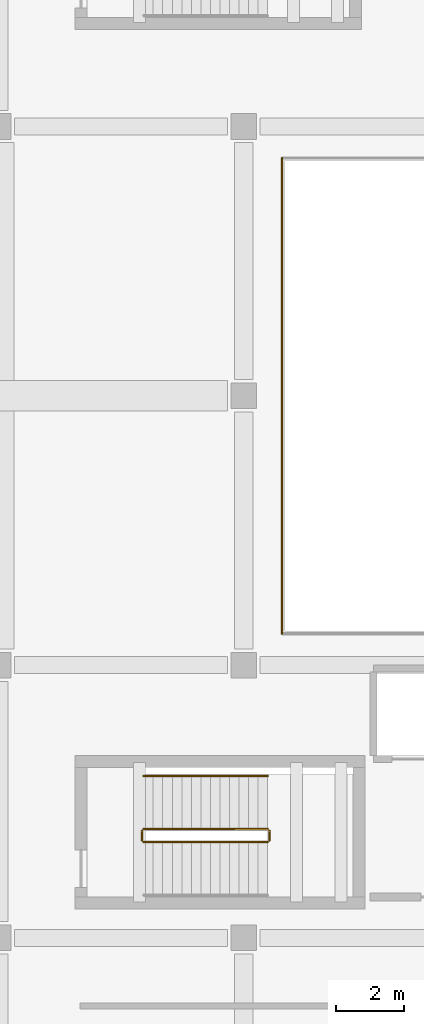
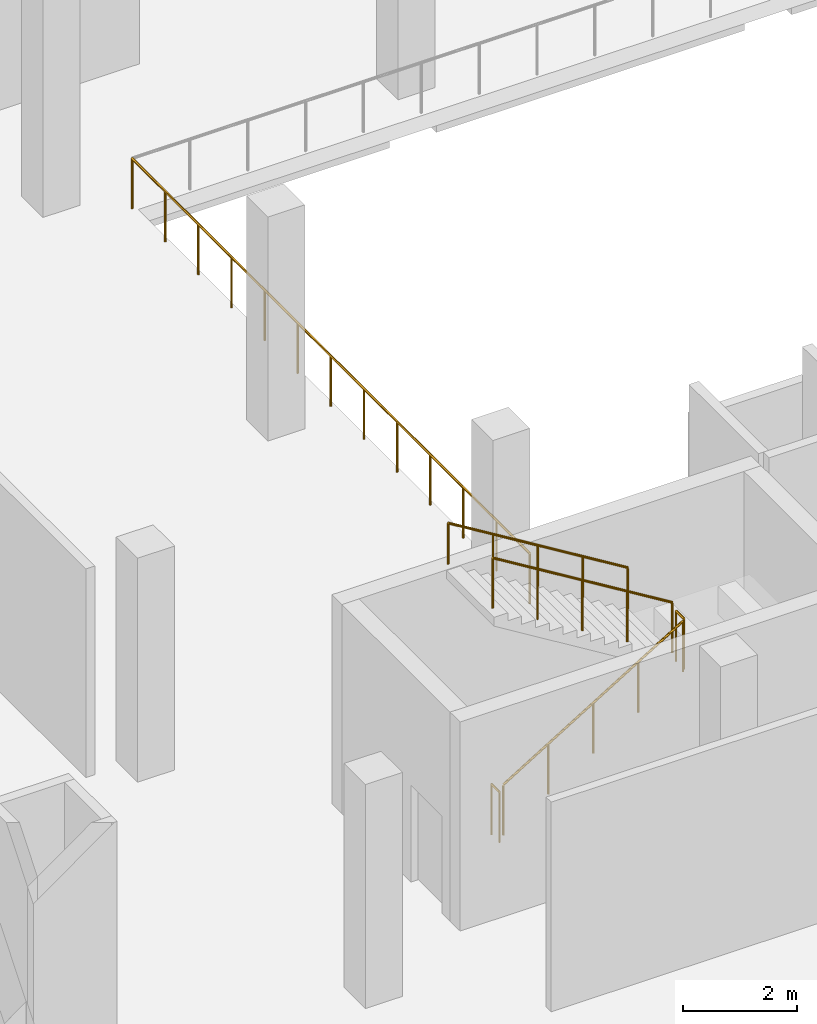
# One storey, part 63 of 73: 6 railings.
"""IFC4 building model written with IfcOpenShell, lengths in metres."""

import ifcopenshell
import ifcopenshell.guid

model = None  # the IFC model being written
_history = None  # IfcOwnerHistory: only IFC2X3 demands one
_inside = {}  # id of a spatial element -> (the spatial element, [elements in it])
_under = {}  # id of a project, library or spatial element -> (it, [spatial elements below it])
_declared = {}  # id of a project -> (the project, [libraries it declares])
_typed = {}  # id of a type object -> (the type object, [elements of that type])
_made_of = {}  # id of a material, layer set ... -> (it, [elements and type objects made of it])


def new_model(schema):
    """Start an empty IFC model of exactly this schema.

    Asked for "IFC4X3", IfcOpenShell would pick the latest addendum, in which some entities
    have other attributes; the version numbers below select the first issue.
    IFC2X3 requires an IfcOwnerHistory on every rooted entity: one is made here for all.
    """
    global model, _history
    if schema == "IFC4X3":
        model = ifcopenshell.file(schema_version=(4, 3, 0, 0))
    else:
        model = ifcopenshell.file(schema=schema)
    _inside.clear()
    _under.clear()
    _declared.clear()
    _typed.clear()
    _made_of.clear()
    _history = None
    if model.schema == "IFC2X3":
        org = make("IfcOrganization", Name="unknown")
        user = make(
            "IfcPersonAndOrganization",
            ThePerson=make("IfcPerson", FamilyName="unknown"),
            TheOrganization=org,
        )
        app = make(
            "IfcApplication",
            ApplicationDeveloper=org,
            Version="unknown",
            ApplicationFullName="unknown",
            ApplicationIdentifier="unknown",
        )
        _history = make(
            "IfcOwnerHistory",
            OwningUser=user,
            OwningApplication=app,
            ChangeAction="ADDED",
            CreationDate=0,
        )
    return model


def make(cls, **values):
    """One entity of the class cls with the attributes given. An attribute that is None is left unset."""
    return model.create_entity(
        cls, **{name: value for name, value in values.items() if value is not None}
    )


def rooted(cls, **values):
    """An entity with a GlobalId (a new one), such as an element, a storey or a relation."""
    return make(cls, GlobalId=ifcopenshell.guid.new(), OwnerHistory=_history, **values)


def si_unit(unit_type, name, prefix=None):
    """IfcSIUnit, for example si_unit("LENGTHUNIT", "METRE", prefix="MILLI")."""
    return make("IfcSIUnit", UnitType=unit_type, Prefix=prefix, Name=name)


def assignment(units):
    """IfcUnitAssignment: the units of a project."""
    return None if units is None else make("IfcUnitAssignment", Units=units)


def point(xyz):
    """IfcCartesianPoint."""
    return None if xyz is None else make("IfcCartesianPoint", Coordinates=xyz)


def direction(xyz):
    """IfcDirection."""
    return None if xyz is None else make("IfcDirection", DirectionRatios=xyz)


def frame(location, z_axis=None, x_axis=None):
    """IfcAxis2Placement3D, a coordinate frame: its origin and axes. An axis left out is left unset."""
    return make(
        "IfcAxis2Placement3D",
        Location=point(location),
        Axis=direction(z_axis),
        RefDirection=direction(x_axis),
    )


def frame_2d(location, x_axis=None):
    """IfcAxis2Placement2D, a coordinate frame in the plane: its origin and x axis."""
    return make(
        "IfcAxis2Placement2D", Location=point(location), RefDirection=direction(x_axis)
    )


def origin():
    """The frame at (0, 0, 0) with its axes left unset."""
    return frame((0.0, 0.0, 0.0))


def origin_2d():
    """The frame at (0, 0) in the plane with its x axis left unset."""
    return frame_2d((0.0, 0.0))


def place(relative_to, where):
    """IfcLocalPlacement: puts the frame where relative to a parent placement (None: the world)."""
    return make(
        "IfcLocalPlacement", PlacementRelTo=relative_to, RelativePlacement=where
    )


def context(
    kind, dimensions, precision=None, world=None, true_north=None, identifier=None
):
    """IfcGeometricRepresentationContext, for example the 3D "Model" context."""
    return make(
        "IfcGeometricRepresentationContext",
        ContextIdentifier=identifier,
        ContextType=kind,
        CoordinateSpaceDimension=dimensions,
        Precision=precision,
        WorldCoordinateSystem=world,
        TrueNorth=true_north,
    )


def subcontext(parent, identifier, kind, view, scale=None):
    """IfcGeometricRepresentationSubContext, for example "Body" below "Model"."""
    return make(
        "IfcGeometricRepresentationSubContext",
        ContextIdentifier=identifier,
        ContextType=kind,
        ParentContext=parent,
        TargetScale=scale,
        TargetView=view,
    )


def project(units=None, contexts=None):
    """IfcProject with its units and contexts."""
    return rooted(
        "IfcProject",
        Name="project",
        RepresentationContexts=contexts,
        UnitsInContext=assignment(units),
    )


def spatial(cls, under=None, at=None, **own):
    """A site, building, storey or space (cls), placed at a placement, below another one or the project."""
    s = rooted(cls, ObjectPlacement=at, **own)
    if under is not None:
        _under.setdefault(under.id(), (under, []))[1].append(s)
    return s


def profile(cls, at=None, kind="AREA", **sizes):
    """A parametric profile (cls). Its sizes go by their IFC names, for example OverallWidth=200.0."""
    return make(cls, ProfileType=kind, Position=at, **sizes)


def circle(**sizes):
    """IfcCircleProfileDef."""
    return profile("IfcCircleProfileDef", **sizes)


def extrude(swept, where, along, depth):
    """IfcExtrudedAreaSolid: the profile swept, set in the frame where, extruded along a direction by depth."""
    return make(
        "IfcExtrudedAreaSolid",
        SweptArea=swept,
        Position=where,
        ExtrudedDirection=direction(along),
        Depth=depth,
    )


def shape(context_of_items, identifier, shape_type, items):
    """IfcShapeRepresentation: the items that make up one representation, for example the "Body"."""
    return make(
        "IfcShapeRepresentation",
        ContextOfItems=context_of_items,
        RepresentationIdentifier=identifier,
        RepresentationType=shape_type,
        Items=items,
    )


def material(Name=None, Category=None):
    """IfcMaterial."""
    return make("IfcMaterial", Name=Name, Category=Category)


def made_of(thing, what):
    """Note that an element or type object is made of a material, layer set ...; save() writes the relation."""
    if what is not None:
        _made_of.setdefault(what.id(), (what, []))[1].append(thing)
    return thing


def type_object(cls, material=None, **own):
    """A type object (cls), such as IfcWallType, which elements share."""
    return made_of(rooted(cls, **own), material)


def element(
    cls,
    number,
    at=None,
    inside=None,
    cuts=None,
    type_object=None,
    material=None,
    context=None,
    identifier="Body",
    shape_type=None,
    held_by="IfcProductDefinitionShape",
    body=None,
    shapes=None,
    **own,
):
    """One element of the class cls, such as IfcWall. Its Tag is "e" and its number.

    at: its placement. inside: the storey or other place that contains it. cuts: it is an
    opening in that element (IfcRelVoidsElement). A single representation is given by context,
    identifier, shape_type and body (its items); several are given by shapes. held_by: the class
    of the entity that holds the representations. save() writes the other relations.
    """
    e = rooted(cls, Tag="e%d" % number, ObjectPlacement=at, **own)
    if body is not None:
        shapes = [shape(context, identifier, shape_type, body)]
    if shapes is not None:
        e.Representation = make(held_by, Representations=shapes)
    if inside is not None:
        _inside.setdefault(inside.id(), (inside, []))[1].append(e)
    if cuts is not None:
        rooted(
            "IfcRelVoidsElement", RelatingBuildingElement=cuts, RelatedOpeningElement=e
        )
    if type_object is not None:
        _typed.setdefault(type_object.id(), (type_object, []))[1].append(e)
    return made_of(e, material)


def aggregate(whole, parts):
    """IfcRelAggregates: a whole, such as a stair, and the parts it consists of."""
    return rooted("IfcRelAggregates", RelatingObject=whole, RelatedObjects=parts)


def save(model, path):
    """Write the relations noted so far, then the file.

    IfcRelAggregates (storeys below a building ...), IfcRelContainedInSpatialStructure (elements
    in a storey), IfcRelDefinesByType, IfcRelAssociatesMaterial and IfcRelDeclares: one each for
    every whole, place, type object, material and project.
    """
    for whole, parts in _under.values():
        aggregate(whole, parts)
    for where, things in _inside.values():
        rooted(
            "IfcRelContainedInSpatialStructure",
            RelatedElements=things,
            RelatingStructure=where,
        )
    for kind, things in _typed.values():
        rooted("IfcRelDefinesByType", RelatedObjects=things, RelatingType=kind)
    for what, things in _made_of.values():
        rooted("IfcRelAssociatesMaterial", RelatedObjects=things, RelatingMaterial=what)
    for by, libraries in _declared.values():
        rooted("IfcRelDeclares", RelatingContext=by, RelatedDefinitions=libraries)
    model.write(path)


model = new_model("IFC4")

# Units and contexts
model_context = context("Model", 3, precision=1e-05, world=origin(), true_north=direction((0.0, 1.0)))
body_context = subcontext(model_context, "Body", "Model", "MODEL_VIEW")
ifc_project = project(units=[si_unit("LENGTHUNIT", "METRE"), si_unit("AREAUNIT", "SQUARE_METRE"), si_unit("VOLUMEUNIT", "CUBIC_METRE"), si_unit("PLANEANGLEUNIT", "RADIAN"), si_unit("MASSUNIT", "GRAM", prefix="KILO")], contexts=[model_context])

# Site, building, storey
site_placement = place(None, origin())
site = spatial("IfcSite", under=ifc_project, at=site_placement, CompositionType="ELEMENT")
building_placement = place(site_placement, origin())
building = spatial("IfcBuilding", under=site, at=building_placement, Name="Kelarvand Opera House", CompositionType="ELEMENT")
storey_placement = place(building_placement, frame((0.0, 0.0, 10.199951171875)))
storey = spatial("IfcBuildingStorey", under=building, at=storey_placement, Name="L02", CompositionType="ELEMENT", Elevation=10.199951171875)

# Railings
ifc_material_1 = material(Name="Brushed bronze tubular rail")
railing_type_1 = type_object("IfcRailingType", Name="Brushed Bronze Stair Wall Handrail 900", PredefinedType="HANDRAIL", material=ifc_material_1)
railing_1_placement = place(storey_placement, frame((67.10009765625, 51.35009765625, 2.571533203125)))
element("IfcRailing", 1, at=railing_1_placement, inside=storey, type_object=railing_type_1, Name="L02 ST-02 stair handrail 2", PredefinedType="HANDRAIL", context=body_context, shape_type="SweptSolid", body=[
    extrude(circle(Radius=0.02392578125, at=origin_2d()), frame((0.0, 0.0, 0.8759765625), z_axis=(-0.852865859571, 0.0, 0.52213008492), x_axis=(0.0, -1.0, 0.0)), (0.0, 0.0, 1.0), 4.26806640625),
    extrude(circle(Radius=0.02099609375, at=origin_2d()), origin(), (0.0, 0.0, 1.0), 0.851806640625),
    extrude(circle(Radius=0.02099609375, at=origin_2d()), frame((-0.91015625, 0.0, 0.55712890625)), (0.0, 0.0, 1.0), 0.851806640625),
    extrude(circle(Radius=0.02099609375, at=origin_2d()), frame((-1.820068359375, 0.0, 1.1142578125)), (0.0, 0.0, 1.0), 0.851806640625),
    extrude(circle(Radius=0.02099609375, at=origin_2d()), frame((-2.72998046875, 0.0, 1.67138671875)), (0.0, 0.0, 1.0), 0.851806640625),
    extrude(circle(Radius=0.02099609375, at=origin_2d()), frame((-3.64013671875, 0.0, 2.228515625)), (0.0, 0.0, 1.0), 0.851806640625),
])
ifc_material_2 = material(Name="Powder-coated Steel S355", Category="steel")
railing_type_2 = type_object("IfcRailingType", Name="Painted Steel Stair and Void Guardrail 1100", PredefinedType="GUARDRAIL", material=ifc_material_2)
railing_2_placement = place(storey_placement, frame((63.4599609375, 49.409912109375, 0.17138671875)))
element("IfcRailing", 2, at=railing_2_placement, inside=storey, type_object=railing_type_2, Name="L02 ST-02 stair guard 1", PredefinedType="GUARDRAIL", context=body_context, shape_type="SweptSolid", body=[
    extrude(circle(Radius=0.02392578125, at=origin_2d()), frame((0.0, 0.0, 1.076171875), z_axis=(0.852840387347, 0.0, 0.522171689878), x_axis=(0.0, 1.0, 0.0)), (0.0, 0.0, 1.0), 4.268310546875),
    extrude(circle(Radius=0.02099609375, at=origin_2d()), origin(), (0.0, 0.0, 1.0), 1.052001953125),
    extrude(circle(Radius=0.02099609375, at=origin_2d()), frame((0.91015625, 0.0, 0.55712890625)), (0.0, 0.0, 1.0), 1.052001953125),
    extrude(circle(Radius=0.02099609375, at=origin_2d()), frame((1.820068359375, 0.0, 1.1142578125)), (0.0, 0.0, 1.0), 1.052001953125),
    extrude(circle(Radius=0.02099609375, at=origin_2d()), frame((2.72998046875, 0.0, 1.671630859375)), (0.0, 0.0, 1.0), 1.052001953125),
    extrude(circle(Radius=0.02099609375, at=origin_2d()), frame((3.64013671875, 0.0, 2.228759765625)), (0.0, 0.0, 1.0), 1.052001953125),
])
railing_3_placement = place(storey_placement, frame((67.14990234375, 49.4599609375, 2.400146484375)))
element("IfcRailing", 3, at=railing_3_placement, inside=storey, type_object=railing_type_2, Name="L02 ST-02 stair guard 2", PredefinedType="GUARDRAIL", context=body_context, shape_type="SweptSolid", body=[
    extrude(circle(Radius=0.02392578125, at=origin_2d()), frame((0.0, 0.0, 1.076171875), z_axis=(0.0, 1.0, 0.0), x_axis=(-1.0, 0.0, 0.0)), (0.0, 0.0, 1.0), 0.280029296875),
    extrude(circle(Radius=0.02099609375, at=origin_2d()), origin(), (0.0, 0.0, 1.0), 1.052001953125),
    extrude(circle(Radius=0.02099609375, at=origin_2d()), frame((0.0, 0.280029296875, 0.0)), (0.0, 0.0, 1.0), 1.052001953125),
])
railing_4_placement = place(storey_placement, frame((67.10009765625, 49.7900390625, 2.571533203125)))
element("IfcRailing", 4, at=railing_4_placement, inside=storey, type_object=railing_type_2, Name="L02 ST-02 stair guard 3", PredefinedType="GUARDRAIL", context=body_context, shape_type="SweptSolid", body=[
    extrude(circle(Radius=0.02392578125, at=origin_2d()), frame((0.0, 0.0, 1.076171875), z_axis=(-0.852865859571, 0.0, 0.52213008492), x_axis=(0.0, -1.0, 0.0)), (0.0, 0.0, 1.0), 4.26806640625),
    extrude(circle(Radius=0.02099609375, at=origin_2d()), origin(), (0.0, 0.0, 1.0), 1.052001953125),
    extrude(circle(Radius=0.02099609375, at=origin_2d()), frame((-0.91015625, 0.0, 0.55712890625)), (0.0, 0.0, 1.0), 1.052001953125),
    extrude(circle(Radius=0.02099609375, at=origin_2d()), frame((-1.820068359375, 0.0, 1.1142578125)), (0.0, 0.0, 1.0), 1.052001953125),
    extrude(circle(Radius=0.02099609375, at=origin_2d()), frame((-2.72998046875, 0.0, 1.67138671875)), (0.0, 0.0, 1.0), 1.052001953125),
    extrude(circle(Radius=0.02099609375, at=origin_2d()), frame((-3.64013671875, 0.0, 2.228515625)), (0.0, 0.0, 1.0), 1.052001953125),
])
railing_5_placement = place(storey_placement, frame((63.409912109375, 49.4599609375, 0.0)))
element("IfcRailing", 5, at=railing_5_placement, inside=storey, type_object=railing_type_2, Name="L02 ST-02 stair guard 4", PredefinedType="GUARDRAIL", context=body_context, shape_type="SweptSolid", body=[
    extrude(circle(Radius=0.02392578125, at=origin_2d()), frame((0.0, 0.0, 1.076171875), z_axis=(0.0, 1.0, 0.0), x_axis=(-1.0, 0.0, 0.0)), (0.0, 0.0, 1.0), 0.280029296875),
    extrude(circle(Radius=0.02099609375, at=origin_2d()), origin(), (0.0, 0.0, 1.0), 1.052001953125),
    extrude(circle(Radius=0.02099609375, at=origin_2d()), frame((0.0, 0.280029296875, 0.0)), (0.0, 0.0, 1.0), 1.052001953125),
])
railing_6_placement = place(storey_placement, frame((67.52001953125, 55.52001953125, 0.0)))
element("IfcRailing", 6, at=railing_6_placement, inside=storey, type_object=railing_type_2, Name="V2 L02 Guardrail 63", PredefinedType="GUARDRAIL", context=body_context, shape_type="SweptSolid", body=[
    extrude(circle(Radius=0.02392578125, at=origin_2d()), frame((0.0, 0.0, 1.076171875), z_axis=(0.0, 1.0, 0.0), x_axis=(-1.0, 0.0, 0.0)), (0.0, 0.0, 1.0), 13.9599609375),
    extrude(circle(Radius=0.02099609375, at=origin_2d()), origin(), (0.0, 0.0, 1.0), 1.052001953125),
    extrude(circle(Radius=0.02099609375, at=origin_2d()), frame((0.0, 1.163330078125, 0.0)), (0.0, 0.0, 1.0), 1.052001953125),
    extrude(circle(Radius=0.02099609375, at=origin_2d()), frame((0.0, 2.32666015625, 0.0)), (0.0, 0.0, 1.0), 1.052001953125),
    extrude(circle(Radius=0.02099609375, at=origin_2d()), frame((0.0, 3.489990234375, 0.0)), (0.0, 0.0, 1.0), 1.052001953125),
    extrude(circle(Radius=0.02099609375, at=origin_2d()), frame((0.0, 4.6533203125, 0.0)), (0.0, 0.0, 1.0), 1.052001953125),
    extrude(circle(Radius=0.02099609375, at=origin_2d()), frame((0.0, 5.816650390625, 0.0)), (0.0, 0.0, 1.0), 1.052001953125),
    extrude(circle(Radius=0.02099609375, at=origin_2d()), frame((0.0, 6.97998046875, 0.0)), (0.0, 0.0, 1.0), 1.052001953125),
    extrude(circle(Radius=0.02099609375, at=origin_2d()), frame((0.0, 8.143310546875, 0.0)), (0.0, 0.0, 1.0), 1.052001953125),
    extrude(circle(Radius=0.02099609375, at=origin_2d()), frame((0.0, 9.306640625, 0.0)), (0.0, 0.0, 1.0), 1.052001953125),
    extrude(circle(Radius=0.02099609375, at=origin_2d()), frame((0.0, 10.469970703125, 0.0)), (0.0, 0.0, 1.0), 1.052001953125),
    extrude(circle(Radius=0.02099609375, at=origin_2d()), frame((0.0, 11.63330078125, 0.0)), (0.0, 0.0, 1.0), 1.052001953125),
    extrude(circle(Radius=0.02099609375, at=origin_2d()), frame((0.0, 12.796630859375, 0.0)), (0.0, 0.0, 1.0), 1.052001953125),
    extrude(circle(Radius=0.02099609375, at=origin_2d()), frame((0.0, 13.9599609375, 0.0)), (0.0, 0.0, 1.0), 1.052001953125),
])

save(model, "model.ifc")
